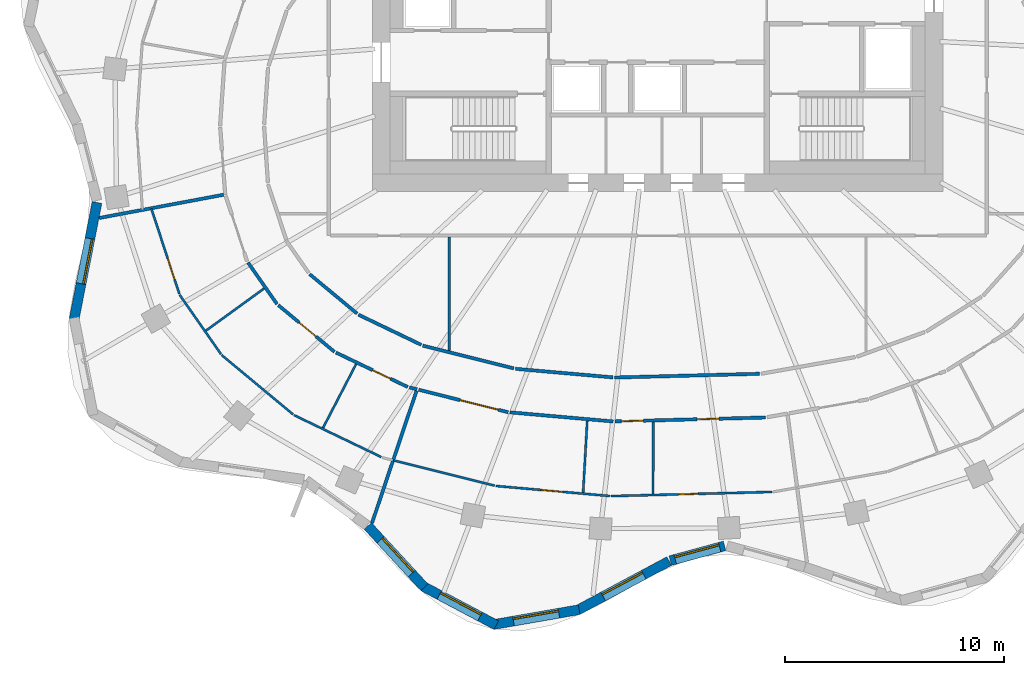
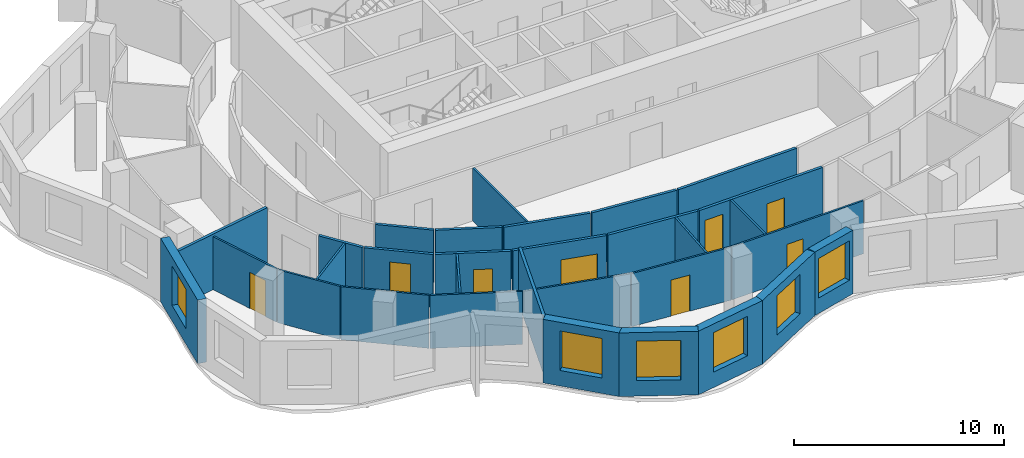
# One storey, part 3 of 11: 32 walls, 8 doors, 6 windows, 14 openings.
"""IFC4 building model written with IfcOpenShell, lengths in metres."""

from ifc_helpers import new_model, si_unit, direction, frame, frame_2d, origin, place, context, subcontext, project, spatial, rectangle, extrude, material, layer, layer_set, type_object, element, fill, save


model = new_model("IFC4")

# Units and contexts
model_context = context("Model", 3, precision=1e-05, world=origin(), true_north=direction((0.0, 1.0)))
body_context = subcontext(model_context, "Body", "Model", "MODEL_VIEW")
ifc_project = project(units=[si_unit("LENGTHUNIT", "METRE"), si_unit("AREAUNIT", "SQUARE_METRE"), si_unit("VOLUMEUNIT", "CUBIC_METRE"), si_unit("PLANEANGLEUNIT", "RADIAN"), si_unit("MASSUNIT", "GRAM", prefix="KILO")], contexts=[model_context])

# Site, building, storey
site_placement = place(None, origin())
site = spatial("IfcSite", under=ifc_project, at=site_placement, CompositionType="ELEMENT")
building_placement = place(site_placement, origin())
building = spatial("IfcBuilding", under=site, at=building_placement, Name="Rubra Terraces Tower", CompositionType="ELEMENT")
storey_placement = place(building_placement, frame((0.0, 0.0, 177.89990234375)))
storey = spatial("IfcBuildingStorey", under=building, at=storey_placement, Name="L43", CompositionType="ELEMENT", Elevation=177.89990234375)

# Wall, opening, window
ifc_material_1 = material(Name="Brick masonry red-brown", Category="masonry")
ifc_layer_1 = layer(ifc_material_1, 0.449951171875)
ifc_layer_set_1 = layer_set([ifc_layer_1], Name="Brick masonry red-brown")
wall_type_1 = type_object("IfcWallType", Name="Brick facade wall 450", PredefinedType="SOLIDWALL", material=ifc_layer_set_1)
wall_1_placement = place(storey_placement, frame((-25.561279296875, -3.490478515625, 0.0), z_axis=(0.0, 0.0, 1.0), x_axis=(-0.192494026297, -0.981298145234, 0.0)))
wall_1 = element("IfcWall", 1, at=wall_1_placement, inside=storey, type_object=wall_type_1, Name="Facade wall L43 bay 22", PredefinedType="SOLIDWALL", context=body_context, shape_type="SweptSolid", body=[
    extrude(rectangle(XDim=5.446044921875, YDim=0.449951171875, at=frame_2d((2.72314453125, 0.0))), origin(), (0.0, 0.0, 1.0), 3.7001953125),
])
opening_1_placement = place(wall_1_placement, frame((1.673095703125, 0.0, 0.89990234375)))
opening_1 = element("IfcOpeningElement", 2, at=opening_1_placement, cuts=wall_1, Name="Opening W1B", PredefinedType="OPENING", context=body_context, shape_type="SweptSolid", body=[
    extrude(rectangle(XDim=2.10009765625, YDim=2.300048828125, at=frame_2d((1.050048828125, 1.14990234375))), frame((0.0, 0.23486328125, 0.0), z_axis=(0.0, -1.0, 0.0), x_axis=(1.0, 0.0, 0.0)), (0.0, 0.0, 1.0), 0.469970703125),
])
ifc_material_2 = material(Name="Clear glass in aluminium frame", Category="aluminium")
window_type = type_object("IfcWindowType", Name="Fixed deep-set window tall storey 2100 x 2300", PartitioningType="SINGLE_PANEL", PredefinedType="WINDOW", material=ifc_material_2)
window_1_placement = place(opening_1_placement, origin())
window_1 = element("IfcWindow", 3, at=window_1_placement, inside=storey, type_object=window_type, Name="Window L43 bay 22", OverallHeight=2.300048828125, OverallWidth=2.10009765625, PartitioningType="SINGLE_PANEL", PredefinedType="WINDOW", context=body_context, shape_type="SweptSolid", body=[
    extrude(rectangle(XDim=2.10009765625, YDim=2.300048828125, at=frame_2d((1.050048828125, 1.14990234375))), frame((0.0, 0.135009765625, 0.0), z_axis=(0.0, -1.0, 0.0), x_axis=(1.0, 0.0, 0.0)), (0.0, 0.0, 1.0), 0.06005859375),
])
fill(opening_1, window_1)

wall_2_placement = place(storey_placement, frame((-13.20947265625, -18.242919921875, 0.0), z_axis=(0.0, 0.0, 1.0), x_axis=(0.677612152497, -0.735419452278, 0.0)))
wall_2 = element("IfcWall", 4, at=wall_2_placement, inside=storey, type_object=wall_type_1, Name="Facade wall L43 bay 27", PredefinedType="SOLIDWALL", context=body_context, shape_type="SweptSolid", body=[
    extrude(rectangle(XDim=3.796875, YDim=0.449951171875, at=frame_2d((1.8984375, 0.0))), origin(), (0.0, 0.0, 1.0), 3.7001953125),
])
opening_2_placement = place(wall_2_placement, frame((0.848388671875, 0.0, 0.89990234375)))
opening_2 = element("IfcOpeningElement", 5, at=opening_2_placement, cuts=wall_2, Name="Opening W1B", PredefinedType="OPENING", context=body_context, shape_type="SweptSolid", body=[
    extrude(rectangle(XDim=2.10009765625, YDim=2.300048828125, at=frame_2d((1.050048828125, 1.14990234375))), frame((0.0, 0.23486328125, 0.0), z_axis=(0.0, -1.0, 0.0), x_axis=(1.0, 0.0, 0.0)), (0.0, 0.0, 1.0), 0.469970703125),
])
window_2_placement = place(opening_2_placement, origin())
window_2 = element("IfcWindow", 6, at=window_2_placement, inside=storey, type_object=window_type, Name="Window L43 bay 27", OverallHeight=2.300048828125, OverallWidth=2.10009765625, PartitioningType="SINGLE_PANEL", PredefinedType="WINDOW", context=body_context, shape_type="SweptSolid", body=[
    extrude(rectangle(XDim=2.10009765625, YDim=2.300048828125, at=frame_2d((1.050048828125, 1.14990234375))), frame((0.0, 0.135009765625, 0.0), z_axis=(0.0, -1.0, 0.0), x_axis=(1.0, 0.0, 0.0)), (0.0, 0.0, 1.0), 0.06005859375),
])
fill(opening_2, window_2)

wall_3_placement = place(storey_placement, frame((-10.692626953125, -20.9931640625, 0.0), z_axis=(0.0, 0.0, 1.0), x_axis=(0.883817790726, -0.46783128668, 0.0)))
wall_3 = element("IfcWall", 7, at=wall_3_placement, inside=storey, type_object=wall_type_1, Name="Facade wall L43 bay 28", PredefinedType="SOLIDWALL", context=body_context, shape_type="SweptSolid", body=[
    extrude(rectangle(XDim=3.776611328125, YDim=0.449951171875, at=frame_2d((1.88818359375, 0.0))), origin(), (0.0, 0.0, 1.0), 3.7001953125),
])
opening_3_placement = place(wall_3_placement, frame((0.83837890625, 0.0, 0.89990234375)))
opening_3 = element("IfcOpeningElement", 8, at=opening_3_placement, cuts=wall_3, Name="Opening W1B", PredefinedType="OPENING", context=body_context, shape_type="SweptSolid", body=[
    extrude(rectangle(XDim=2.10009765625, YDim=2.300048828125, at=frame_2d((1.050048828125, 1.14990234375))), frame((0.0, 0.23486328125, 0.0), z_axis=(0.0, -1.0, 0.0), x_axis=(1.0, 0.0, 0.0)), (0.0, 0.0, 1.0), 0.469970703125),
])
window_3_placement = place(opening_3_placement, origin())
window_3 = element("IfcWindow", 9, at=window_3_placement, inside=storey, type_object=window_type, Name="Window L43 bay 28", OverallHeight=2.300048828125, OverallWidth=2.10009765625, PartitioningType="SINGLE_PANEL", PredefinedType="WINDOW", context=body_context, shape_type="SweptSolid", body=[
    extrude(rectangle(XDim=2.10009765625, YDim=2.300048828125, at=frame_2d((1.050048828125, 1.14990234375))), frame((0.0, 0.135009765625, 0.0), z_axis=(0.0, -1.0, 0.0), x_axis=(1.0, 0.0, 0.0)), (0.0, 0.0, 1.0), 0.06005859375),
])
fill(opening_3, window_3)

wall_4_placement = place(storey_placement, frame((-7.49853515625, -22.7373046875, 0.0), z_axis=(0.0, 0.0, 1.0), x_axis=(0.98521220506, 0.171338585849, 0.0)))
wall_4 = element("IfcWall", 10, at=wall_4_placement, inside=storey, type_object=wall_type_1, Name="Facade wall L43 bay 29", PredefinedType="SOLIDWALL", context=body_context, shape_type="SweptSolid", body=[
    extrude(rectangle(XDim=3.979736328125, YDim=0.449951171875, at=frame_2d((1.98974609375, 0.0))), origin(), (0.0, 0.0, 1.0), 3.7001953125),
])
opening_4_placement = place(wall_4_placement, frame((0.93994140625, 0.0, 0.89990234375)))
opening_4 = element("IfcOpeningElement", 11, at=opening_4_placement, cuts=wall_4, Name="Opening W1B", PredefinedType="OPENING", context=body_context, shape_type="SweptSolid", body=[
    extrude(rectangle(XDim=2.10009765625, YDim=2.300048828125, at=frame_2d((1.050048828125, 1.14990234375))), frame((0.0, 0.23486328125, 0.0), z_axis=(0.0, -1.0, 0.0), x_axis=(1.0, 0.0, 0.0)), (0.0, 0.0, 1.0), 0.469970703125),
])
window_4_placement = place(opening_4_placement, origin())
window_4 = element("IfcWindow", 12, at=window_4_placement, inside=storey, type_object=window_type, Name="Window L43 bay 29", OverallHeight=2.300048828125, OverallWidth=2.10009765625, PartitioningType="SINGLE_PANEL", PredefinedType="WINDOW", context=body_context, shape_type="SweptSolid", body=[
    extrude(rectangle(XDim=2.10009765625, YDim=2.300048828125, at=frame_2d((1.050048828125, 1.14990234375))), frame((0.0, 0.135009765625, 0.0), z_axis=(0.0, -1.0, 0.0), x_axis=(1.0, 0.0, 0.0)), (0.0, 0.0, 1.0), 0.06005859375),
])
fill(opening_4, window_4)

wall_5_placement = place(storey_placement, frame((-3.6455078125, -22.07861328125, 0.0), z_axis=(0.0, 0.0, 1.0), x_axis=(0.881279133897, 0.472596115259, 0.0)))
wall_5 = element("IfcWall", 13, at=wall_5_placement, inside=storey, type_object=wall_type_1, Name="Facade wall L43 bay 30", PredefinedType="SOLIDWALL", context=body_context, shape_type="SweptSolid", body=[
    extrude(rectangle(XDim=4.736572265625, YDim=0.449951171875, at=frame_2d((2.3681640625, 0.0))), origin(), (0.0, 0.0, 1.0), 3.7001953125),
])
opening_5_placement = place(wall_5_placement, frame((1.318115234375, 0.0, 0.89990234375)))
opening_5 = element("IfcOpeningElement", 14, at=opening_5_placement, cuts=wall_5, Name="Opening W1B", PredefinedType="OPENING", context=body_context, shape_type="SweptSolid", body=[
    extrude(rectangle(XDim=2.10009765625, YDim=2.300048828125, at=frame_2d((1.050048828125, 1.14990234375))), frame((0.0, 0.23486328125, 0.0), z_axis=(0.0, -1.0, 0.0), x_axis=(1.0, 0.0, 0.0)), (0.0, 0.0, 1.0), 0.469970703125),
])
window_5_placement = place(opening_5_placement, origin())
window_5 = element("IfcWindow", 15, at=window_5_placement, inside=storey, type_object=window_type, Name="Window L43 bay 30", OverallHeight=2.300048828125, OverallWidth=2.10009765625, PartitioningType="SINGLE_PANEL", PredefinedType="WINDOW", context=body_context, shape_type="SweptSolid", body=[
    extrude(rectangle(XDim=2.10009765625, YDim=2.300048828125, at=frame_2d((1.050048828125, 1.14990234375))), frame((0.0, 0.135009765625, 0.0), z_axis=(0.0, -1.0, 0.0), x_axis=(1.0, 0.0, 0.0)), (0.0, 0.0, 1.0), 0.06005859375),
])
fill(opening_5, window_5)

wall_6_placement = place(storey_placement, frame((0.576171875, -19.8212890625, 0.0), z_axis=(0.0, 0.0, 1.0), x_axis=(0.965009398019, 0.262215296532, 0.0)))
wall_6 = element("IfcWall", 16, at=wall_6_placement, inside=storey, type_object=wall_type_1, Name="Facade wall L43 bay 31", PredefinedType="SOLIDWALL", context=body_context, shape_type="SweptSolid", body=[
    extrude(rectangle(XDim=2.565185546875, YDim=0.449951171875, at=frame_2d((1.28271484375, 0.0))), origin(), (0.0, 0.0, 1.0), 3.7001953125),
])
opening_6_placement = place(wall_6_placement, frame((0.232666015625, 0.0, 0.89990234375)))
opening_6 = element("IfcOpeningElement", 17, at=opening_6_placement, cuts=wall_6, Name="Opening W1B", PredefinedType="OPENING", context=body_context, shape_type="SweptSolid", body=[
    extrude(rectangle(XDim=2.10009765625, YDim=2.300048828125, at=frame_2d((1.050048828125, 1.14990234375))), frame((0.0, 0.23486328125, 0.0), z_axis=(0.0, -1.0, 0.0), x_axis=(1.0, 0.0, 0.0)), (0.0, 0.0, 1.0), 0.469970703125),
])
window_6_placement = place(opening_6_placement, origin())
window_6 = element("IfcWindow", 18, at=window_6_placement, inside=storey, type_object=window_type, Name="Window L43 bay 31", OverallHeight=2.300048828125, OverallWidth=2.10009765625, PartitioningType="SINGLE_PANEL", PredefinedType="WINDOW", context=body_context, shape_type="SweptSolid", body=[
    extrude(rectangle(XDim=2.10009765625, YDim=2.300048828125, at=frame_2d((1.050048828125, 1.14990234375))), frame((0.0, 0.135009765625, 0.0), z_axis=(0.0, -1.0, 0.0), x_axis=(1.0, 0.0, 0.0)), (0.0, 0.0, 1.0), 0.06005859375),
])
fill(opening_6, window_6)

# Wall
ifc_material_3 = material(Name="Plasterboard on steel stud, mineral wool infill", Category="steel")
ifc_layer_2 = layer(ifc_material_3, 0.14990234375)
ifc_layer_set_2 = layer_set([ifc_layer_2], Name="Plasterboard on steel stud, mineral wool infill")
wall_type_2 = type_object("IfcWallType", Name="CORRIDOR PARTITION 150", PredefinedType="PARTITIONING", material=ifc_layer_set_2)
wall_7_placement = place(storey_placement, frame((-18.673828125, -6.231689453125, 0.0), z_axis=(0.0, 0.0, 1.0), x_axis=(0.572118665737, -0.820170855563, 0.0)))
element("IfcWall", 19, at=wall_7_placement, inside=storey, type_object=wall_type_2, Name="PARTITION", PredefinedType="PARTITIONING", context=body_context, shape_type="SweptSolid", body=[
    extrude(rectangle(XDim=2.30615234375, YDim=0.14990234375, at=frame_2d((1.153076171875, 0.0))), origin(), (0.0, 0.0, 1.0), 3.083984375),
])

# Wall, opening, door
wall_8_placement = place(storey_placement, frame((-17.296875, -8.1708984375, 0.0), z_axis=(0.0, 0.0, 1.0), x_axis=(0.769228575061, -0.638973707839, 0.0)))
wall_8 = element("IfcWall", 20, at=wall_8_placement, inside=storey, type_object=wall_type_2, Name="PARTITION", PredefinedType="PARTITIONING", context=body_context, shape_type="SweptSolid", body=[
    extrude(rectangle(XDim=3.33447265625, YDim=0.14990234375, at=frame_2d((1.667236328125, 0.0))), origin(), (0.0, 0.0, 1.0), 3.083984375),
])
opening_7_placement = place(wall_8_placement, frame((1.23388671875, 0.0, 0.0)))
opening_7 = element("IfcOpeningElement", 21, at=opening_7_placement, cuts=wall_8, Name="Opening 43-115", PredefinedType="OPENING", context=body_context, shape_type="SweptSolid", body=[
    extrude(rectangle(XDim=1.0, YDim=2.39990234375, at=frame_2d((0.5, 1.199951171875))), frame((0.0, 0.0849609375, 0.0), z_axis=(0.0, -1.0, 0.0), x_axis=(1.0, 0.0, 0.0)), (0.0, 0.0, 1.0), 0.169921875),
])
ifc_material_4 = material(Name="Glazed aluminium meeting door leaf", Category="aluminium")
door_type_1 = type_object("IfcDoorType", Name="MEETING ROOM GLAZED DOOR 1000 X 2400", OperationType="SINGLE_SWING_LEFT", PredefinedType="DOOR", material=ifc_material_4)
door_1_placement = place(opening_7_placement, origin())
door_1 = element("IfcDoor", 22, at=door_1_placement, inside=storey, type_object=door_type_1, Name="DOOR 43-115", OperationType="SINGLE_SWING_RIGHT", OverallHeight=2.39990234375, OverallWidth=1.0, PredefinedType="DOOR", context=body_context, shape_type="SweptSolid", body=[
    extrude(rectangle(XDim=1.0, YDim=2.39990234375, at=frame_2d((0.5, 1.199951171875))), frame((0.0, 0.02490234375, 0.0), z_axis=(0.0, -1.0, 0.0), x_axis=(1.0, 0.0, 0.0)), (0.0, 0.0, 1.0), 0.050048828125),
])
fill(opening_7, door_1)

wall_9_placement = place(storey_placement, frame((-14.664306640625, -10.333984375, 0.0), z_axis=(0.0, 0.0, 1.0), x_axis=(0.901507315282, -0.432763862278, 0.0)))
wall_9 = element("IfcWall", 23, at=wall_9_placement, inside=storey, type_object=wall_type_2, Name="PARTITION", PredefinedType="PARTITIONING", context=body_context, shape_type="SweptSolid", body=[
    extrude(rectangle(XDim=3.63037109375, YDim=0.14990234375, at=frame_2d((1.815185546875, 0.0))), origin(), (0.0, 0.0, 1.0), 3.083984375),
])
opening_8_placement = place(wall_9_placement, frame((1.85009765625, 0.0, 0.0)))
opening_8 = element("IfcOpeningElement", 24, at=opening_8_placement, cuts=wall_9, Name="Opening 43-136", PredefinedType="OPENING", context=body_context, shape_type="SweptSolid", body=[
    extrude(rectangle(XDim=0.89990234375, YDim=2.10009765625, at=frame_2d((0.449951171875, 1.050048828125))), frame((0.0, 0.0849609375, 0.0), z_axis=(0.0, -1.0, 0.0), x_axis=(1.0, 0.0, 0.0)), (0.0, 0.0, 1.0), 0.169921875),
])
ifc_material_5 = material(Name="Painted timber door leaf", Category="wood")
door_type_2 = type_object("IfcDoorType", Name="BATHROOM DOOR 900 X 2100", OperationType="SINGLE_SWING_LEFT", PredefinedType="DOOR", material=ifc_material_5)
door_2_placement = place(opening_8_placement, origin())
door_2 = element("IfcDoor", 25, at=door_2_placement, inside=storey, type_object=door_type_2, Name="DOOR 43-136", OperationType="SINGLE_SWING_RIGHT", OverallHeight=2.10009765625, OverallWidth=0.89990234375, PredefinedType="DOOR", context=body_context, shape_type="SweptSolid", body=[
    extrude(rectangle(XDim=0.89990234375, YDim=2.10009765625, at=frame_2d((0.449951171875, 1.050048828125))), frame((0.0, 0.02490234375, 0.0), z_axis=(0.0, -1.0, 0.0), x_axis=(1.0, 0.0, 0.0)), (0.0, 0.0, 1.0), 0.050048828125),
])
fill(opening_8, door_2)

# Wall
wall_10_placement = place(storey_placement, frame((-11.318603515625, -11.923095703125, 0.0), z_axis=(0.0, 0.0, 1.0), x_axis=(0.969942256681, -0.243335198242, 0.0)))
element("IfcWall", 26, at=wall_10_placement, inside=storey, type_object=wall_type_2, Name="PARTITION", PredefinedType="PARTITIONING", context=body_context, shape_type="SweptSolid", body=[
    extrude(rectangle(XDim=0.359130859375, YDim=0.14990234375, at=frame_2d((0.1796875, 0.0))), origin(), (0.0, 0.0, 1.0), 3.083984375),
])

# Wall, opening, door
wall_11_placement = place(storey_placement, frame((-10.8974609375, -12.02880859375, 0.0), z_axis=(0.0, 0.0, 1.0), x_axis=(0.969999087169, -0.24310855783, 0.0)))
wall_11 = element("IfcWall", 27, at=wall_11_placement, inside=storey, type_object=wall_type_2, Name="PARTITION", PredefinedType="PARTITIONING", context=body_context, shape_type="SweptSolid", body=[
    extrude(rectangle(XDim=4.210693359375, YDim=0.14990234375, at=frame_2d((2.10546875, 0.0))), origin(), (0.0, 0.0, 1.0), 3.083984375),
])
opening_9_placement = place(wall_11_placement, frame((1.949951171875, 0.0, 0.0)))
opening_9 = element("IfcOpeningElement", 28, at=opening_9_placement, cuts=wall_11, Name="Opening 43-116", PredefinedType="OPENING", context=body_context, shape_type="SweptSolid", body=[
    extrude(rectangle(XDim=1.800048828125, YDim=2.10009765625, at=frame_2d((0.89990234375, 1.050048828125))), frame((0.0, 0.0849609375, 0.0), z_axis=(0.0, -1.0, 0.0), x_axis=(1.0, 0.0, 0.0)), (0.0, 0.0, 1.0), 0.169921875),
])
ifc_material_6 = material(Name="Painted timber door leaf, double", Category="wood")
door_type_3 = type_object("IfcDoorType", Name="ROOM DOUBLE DOOR 1800 X 2100", OperationType="DOUBLE_DOOR_SINGLE_SWING", PredefinedType="DOOR", material=ifc_material_6)
door_3_placement = place(opening_9_placement, origin())
door_3 = element("IfcDoor", 29, at=door_3_placement, inside=storey, type_object=door_type_3, Name="DOOR 43-116", OperationType="DOUBLE_DOOR_SINGLE_SWING", OverallHeight=2.10009765625, OverallWidth=1.800048828125, PredefinedType="DOOR", context=body_context, shape_type="SweptSolid", body=[
    extrude(rectangle(XDim=1.800048828125, YDim=2.10009765625, at=frame_2d((0.89990234375, 1.050048828125))), frame((0.0, 0.02490234375, 0.0), z_axis=(0.0, -1.0, 0.0), x_axis=(1.0, 0.0, 0.0)), (0.0, 0.0, 1.0), 0.050048828125),
])
fill(opening_9, door_3)

# Wall
wall_12_placement = place(storey_placement, frame((-6.73828125, -13.05908203125, 0.0), z_axis=(0.0, 0.0, 1.0), x_axis=(0.996143527037, -0.087738666181, 0.0)))
element("IfcWall", 30, at=wall_12_placement, inside=storey, type_object=wall_type_2, Name="PARTITION", PredefinedType="PARTITIONING", context=body_context, shape_type="SweptSolid", body=[
    extrude(rectangle(XDim=4.73046875, YDim=0.14990234375, at=frame_2d((2.365234375, 0.0))), origin(), (0.0, 0.0, 1.0), 3.083984375),
])

# Wall, openings, doors
wall_13_placement = place(storey_placement, frame((-1.951171875, -13.472412109375, 0.0), z_axis=(0.0, 0.0, 1.0), x_axis=(0.999663898238, 0.025924709429, 0.0)))
wall_13 = element("IfcWall", 31, at=wall_13_placement, inside=storey, type_object=wall_type_2, Name="PARTITION", PredefinedType="PARTITIONING", context=body_context, shape_type="SweptSolid", body=[
    extrude(rectangle(XDim=6.87451171875, YDim=0.14990234375, at=frame_2d((3.437255859375, 0.0))), origin(), (0.0, 0.0, 1.0), 3.083984375),
])
opening_10_placement = place(wall_13_placement, frame((0.300048828125, 0.0, 0.0)))
opening_10 = element("IfcOpeningElement", 32, at=opening_10_placement, cuts=wall_13, Name="Opening 43-117", PredefinedType="OPENING", context=body_context, shape_type="SweptSolid", body=[
    extrude(rectangle(XDim=1.0, YDim=2.39990234375, at=frame_2d((0.5, 1.199951171875))), frame((0.0, 0.0849609375, 0.0), z_axis=(0.0, -1.0, 0.0), x_axis=(1.0, 0.0, 0.0)), (0.0, 0.0, 1.0), 0.169921875),
])
opening_11_placement = place(wall_13_placement, frame((3.75, 0.0, 0.0)))
opening_11 = element("IfcOpeningElement", 33, at=opening_11_placement, cuts=wall_13, Name="Opening 43-138", PredefinedType="OPENING", context=body_context, shape_type="SweptSolid", body=[
    extrude(rectangle(XDim=1.0, YDim=2.10009765625, at=frame_2d((0.5, 1.050048828125))), frame((0.0, 0.0849609375, 0.0), z_axis=(0.0, -1.0, 0.0), x_axis=(1.0, 0.0, 0.0)), (0.0, 0.0, 1.0), 0.169921875),
])
door_4_placement = place(opening_10_placement, origin())
door_4 = element("IfcDoor", 34, at=door_4_placement, inside=storey, type_object=door_type_1, Name="DOOR 43-117", OperationType="SINGLE_SWING_RIGHT", OverallHeight=2.39990234375, OverallWidth=1.0, PredefinedType="DOOR", context=body_context, shape_type="SweptSolid", body=[
    extrude(rectangle(XDim=1.0, YDim=2.39990234375, at=frame_2d((0.5, 1.199951171875))), frame((0.0, 0.02490234375, 0.0), z_axis=(0.0, -1.0, 0.0), x_axis=(1.0, 0.0, 0.0)), (0.0, 0.0, 1.0), 0.050048828125),
])
fill(opening_10, door_4)
door_type_4 = type_object("IfcDoorType", Name="ROOM DOOR 1000 X 2100", OperationType="SINGLE_SWING_LEFT", PredefinedType="DOOR", material=ifc_material_5)
door_5_placement = place(opening_11_placement, origin())
door_5 = element("IfcDoor", 35, at=door_5_placement, inside=storey, type_object=door_type_4, Name="DOOR 43-138", OperationType="SINGLE_SWING_RIGHT", OverallHeight=2.10009765625, OverallWidth=1.0, PredefinedType="DOOR", context=body_context, shape_type="SweptSolid", body=[
    extrude(rectangle(XDim=1.0, YDim=2.10009765625, at=frame_2d((0.5, 1.050048828125))), frame((0.0, 0.02490234375, 0.0), z_axis=(0.0, -1.0, 0.0), x_axis=(1.0, 0.0, 0.0)), (0.0, 0.0, 1.0), 0.050048828125),
])
fill(opening_11, door_5)

# Walls
wall_14_placement = place(storey_placement, frame((4.64453125, -11.30078125, 0.0), z_axis=(0.0, 0.0, 1.0), x_axis=(-0.9996648469, -0.02588810291, 0.0)))
element("IfcWall", 36, at=wall_14_placement, inside=storey, type_object=wall_type_2, Name="PARTITION", PredefinedType="PARTITIONING", context=body_context, shape_type="SweptSolid", body=[
    extrude(rectangle(XDim=6.61083984375, YDim=0.14990234375, at=frame_2d((3.305419921875, 0.0))), origin(), (0.0, 0.0, 1.0), 3.083984375),
])
wall_15_placement = place(storey_placement, frame((-2.038818359375, -11.46533203125, 0.0), z_axis=(0.0, 0.0, 1.0), x_axis=(-0.996139855484, 0.087780341286, 0.0)))
element("IfcWall", 37, at=wall_15_placement, inside=storey, type_object=wall_type_2, Name="PARTITION", PredefinedType="PARTITIONING", context=body_context, shape_type="SweptSolid", body=[
    extrude(rectangle(XDim=4.458251953125, YDim=0.14990234375, at=frame_2d((2.22900390625, 0.0))), origin(), (0.0, 0.0, 1.0), 3.083984375),
])
wall_16_placement = place(storey_placement, frame((-6.552734375, -11.055908203125, 0.0), z_axis=(0.0, 0.0, 1.0), x_axis=(-0.970004917182, 0.243085294995, 0.0)))
element("IfcWall", 38, at=wall_16_placement, inside=storey, type_object=wall_type_2, Name="PARTITION", PredefinedType="PARTITIONING", context=body_context, shape_type="SweptSolid", body=[
    extrude(rectangle(XDim=4.284423828125, YDim=0.14990234375, at=frame_2d((2.14208984375, 0.0))), origin(), (0.0, 0.0, 1.0), 3.083984375),
])
wall_17_placement = place(storey_placement, frame((-10.7763671875, -9.981689453125, 0.0), z_axis=(0.0, 0.0, 1.0), x_axis=(-0.901511079436, 0.432756020933, 0.0)))
element("IfcWall", 39, at=wall_17_placement, inside=storey, type_object=wall_type_2, Name="PARTITION", PredefinedType="PARTITIONING", context=body_context, shape_type="SweptSolid", body=[
    extrude(rectangle(XDim=3.1806640625, YDim=0.14990234375, at=frame_2d((1.59033203125, 0.0))), origin(), (0.0, 0.0, 1.0), 3.083984375),
])
wall_18_placement = place(storey_placement, frame((-13.70166015625, -8.557373046875, 0.0), z_axis=(0.0, 0.0, 1.0), x_axis=(-0.769221825067, 0.638981833733, 0.0)))
element("IfcWall", 40, at=wall_18_placement, inside=storey, type_object=wall_type_2, Name="PARTITION", PredefinedType="PARTITIONING", context=body_context, shape_type="SweptSolid", body=[
    extrude(rectangle(XDim=2.8173828125, YDim=0.14990234375, at=frame_2d((1.40869140625, 0.0))), origin(), (0.0, 0.0, 1.0), 3.083984375),
])
ifc_material_7 = material(Name="Plasterboard on steel stud", Category="steel")
ifc_layer_3 = layer(ifc_material_7, 0.10009765625)
ifc_layer_set_3 = layer_set([ifc_layer_3], Name="Plasterboard on steel stud")
wall_type_3 = type_object("IfcWallType", Name="ROOM PARTITION 100", PredefinedType="PARTITIONING", material=ifc_layer_set_3)
wall_19_placement = place(storey_placement, frame((-12.597412109375, -15.09765625, 0.0), z_axis=(0.0, 0.0, 1.0), x_axis=(-0.901514437286, 0.432749025839, 0.0)))
element("IfcWall", 41, at=wall_19_placement, inside=storey, type_object=wall_type_3, Name="PARTITION", PredefinedType="PARTITIONING", context=body_context, shape_type="SweptSolid", body=[
    extrude(rectangle(XDim=4.419677734375, YDim=0.10009765625, at=frame_2d((2.2099609375, 0.0))), origin(), (0.0, 0.0, 1.0), 3.083984375),
])
wall_20_placement = place(storey_placement, frame((-16.6201171875, -13.153076171875, 0.0), z_axis=(0.0, 0.0, 1.0), x_axis=(-0.76922129881, 0.638982467253, 0.0)))
element("IfcWall", 42, at=wall_20_placement, inside=storey, type_object=wall_type_3, Name="PARTITION", PredefinedType="PARTITIONING", context=body_context, shape_type="SweptSolid", body=[
    extrude(rectangle(XDim=4.23828125, YDim=0.10009765625, at=frame_2d((2.119140625, 0.0))), origin(), (0.0, 0.0, 1.0), 3.083984375),
])
wall_21_placement = place(storey_placement, frame((-19.908935546875, -10.40380859375, 0.0), z_axis=(0.0, 0.0, 1.0), x_axis=(-0.572111951901, 0.820175538828, 0.0)))
element("IfcWall", 43, at=wall_21_placement, inside=storey, type_object=wall_type_3, Name="PARTITION", PredefinedType="PARTITIONING", context=body_context, shape_type="SweptSolid", body=[
    extrude(rectangle(XDim=3.2900390625, YDim=0.10009765625, at=frame_2d((1.64501953125, 0.0))), origin(), (0.0, 0.0, 1.0), 3.083984375),
])

# Wall, opening, door
wall_22_placement = place(storey_placement, frame((-21.806884765625, -7.657958984375, 0.0), z_axis=(0.0, 0.0, 1.0), x_axis=(-0.311924580949, 0.950106865463, 0.0)))
wall_22 = element("IfcWall", 44, at=wall_22_placement, inside=storey, type_object=wall_type_3, Name="PARTITION", PredefinedType="PARTITIONING", context=body_context, shape_type="SweptSolid", body=[
    extrude(rectangle(XDim=4.087890625, YDim=0.10009765625, at=frame_2d((2.0439453125, 0.0))), origin(), (0.0, 0.0, 1.0), 3.083984375),
])
opening_12_placement = place(wall_22_placement, frame((0.698974609375, 0.0, 0.0)))
opening_12 = element("IfcOpeningElement", 45, at=opening_12_placement, cuts=wall_22, Name="Opening 43-114", PredefinedType="OPENING", context=body_context, shape_type="SweptSolid", body=[
    extrude(rectangle(XDim=1.0, YDim=2.10009765625, at=frame_2d((0.5, 1.050048828125))), frame((0.0, 0.06005859375, 0.0), z_axis=(0.0, -1.0, 0.0), x_axis=(1.0, 0.0, 0.0)), (0.0, 0.0, 1.0), 0.1201171875),
])
door_6_placement = place(opening_12_placement, origin())
door_6 = element("IfcDoor", 46, at=door_6_placement, inside=storey, type_object=door_type_4, Name="DOOR 43-114", OperationType="SINGLE_SWING_LEFT", OverallHeight=2.10009765625, OverallWidth=1.0, PredefinedType="DOOR", context=body_context, shape_type="SweptSolid", body=[
    extrude(rectangle(XDim=1.0, YDim=2.10009765625, at=frame_2d((0.5, 1.050048828125))), frame((0.0, 0.02490234375, 0.0), z_axis=(0.0, -1.0, 0.0), x_axis=(1.0, 0.0, 0.0)), (0.0, 0.0, 1.0), 0.050048828125),
])
fill(opening_12, door_6)

# Walls
wall_23_placement = place(storey_placement, frame((-17.9423828125, -7.41162109375, 0.0), z_axis=(0.0, 0.0, 1.0), x_axis=(-0.809425321456, -0.587222827372, 0.0)))
element("IfcWall", 47, at=wall_23_placement, inside=storey, type_object=wall_type_3, Name="PARTITION", PredefinedType="PARTITIONING", context=body_context, shape_type="SweptSolid", body=[
    extrude(rectangle(XDim=3.275390625, YDim=0.10009765625, at=frame_2d((1.6376953125, 0.0))), origin(), (0.0, 0.0, 1.0), 3.083984375),
])
wall_24_placement = place(storey_placement, frame((-13.7470703125, -10.857421875, 0.0), z_axis=(0.0, 0.0, 1.0), x_axis=(-0.460160569956, -0.887835711074, 0.0)))
element("IfcWall", 48, at=wall_24_placement, inside=storey, type_object=wall_type_3, Name="PARTITION", PredefinedType="PARTITIONING", context=body_context, shape_type="SweptSolid", body=[
    extrude(rectangle(XDim=3.276611328125, YDim=0.10009765625, at=frame_2d((1.63818359375, 0.0))), origin(), (0.0, 0.0, 1.0), 3.083984375),
])

# Wall, opening, door
wall_25_placement = place(storey_placement, frame((5.2138671875, -16.687744140625, 0.0), z_axis=(0.0, 0.0, 1.0), x_axis=(-0.999664981446, -0.025882906921, 0.0)))
wall_25 = element("IfcWall", 49, at=wall_25_placement, inside=storey, type_object=wall_type_3, Name="PARTITION", PredefinedType="PARTITIONING", context=body_context, shape_type="SweptSolid", body=[
    extrude(rectangle(XDim=7.347900390625, YDim=0.10009765625, at=frame_2d((3.673828125, 0.0))), origin(), (0.0, 0.0, 1.0), 3.083984375),
])
opening_13_placement = place(wall_25_placement, frame((3.364013671875, 0.0, 0.0)))
opening_13 = element("IfcOpeningElement", 50, at=opening_13_placement, cuts=wall_25, Name="Opening 43-118", PredefinedType="OPENING", context=body_context, shape_type="SweptSolid", body=[
    extrude(rectangle(XDim=0.89990234375, YDim=2.10009765625, at=frame_2d((0.449951171875, 1.050048828125))), frame((0.0, 0.06005859375, 0.0), z_axis=(0.0, -1.0, 0.0), x_axis=(1.0, 0.0, 0.0)), (0.0, 0.0, 1.0), 0.1201171875),
])
door_type_5 = type_object("IfcDoorType", Name="ROOM DOOR 900 X 2100", OperationType="SINGLE_SWING_LEFT", PredefinedType="DOOR", material=ifc_material_5)
door_7_placement = place(opening_13_placement, origin())
door_7 = element("IfcDoor", 51, at=door_7_placement, inside=storey, type_object=door_type_5, Name="DOOR 43-118", OperationType="SINGLE_SWING_LEFT", OverallHeight=2.10009765625, OverallWidth=0.89990234375, PredefinedType="DOOR", context=body_context, shape_type="SweptSolid", body=[
    extrude(rectangle(XDim=0.89990234375, YDim=2.10009765625, at=frame_2d((0.449951171875, 1.050048828125))), frame((0.0, 0.02490234375, 0.0), z_axis=(0.0, -1.0, 0.0), x_axis=(1.0, 0.0, 0.0)), (0.0, 0.0, 1.0), 0.050048828125),
])
fill(opening_13, door_7)

wall_26_placement = place(storey_placement, frame((-2.181396484375, -16.87353515625, 0.0), z_axis=(0.0, 0.0, 1.0), x_axis=(-0.996143934904, 0.087734035321, 0.0)))
wall_26 = element("IfcWall", 52, at=wall_26_placement, inside=storey, type_object=wall_type_3, Name="PARTITION", PredefinedType="PARTITIONING", context=body_context, shape_type="SweptSolid", body=[
    extrude(rectangle(XDim=5.217529296875, YDim=0.10009765625, at=frame_2d((2.60888671875, 0.0))), origin(), (0.0, 0.0, 1.0), 3.083984375),
])
opening_14_placement = place(wall_26_placement, frame((2.14990234375, 0.0, 0.0)))
opening_14 = element("IfcOpeningElement", 53, at=opening_14_placement, cuts=wall_26, Name="Opening 43-137", PredefinedType="OPENING", context=body_context, shape_type="SweptSolid", body=[
    extrude(rectangle(XDim=1.0, YDim=2.10009765625, at=frame_2d((0.5, 1.050048828125))), frame((0.0, 0.06005859375, 0.0), z_axis=(0.0, -1.0, 0.0), x_axis=(1.0, 0.0, 0.0)), (0.0, 0.0, 1.0), 0.1201171875),
])
door_8_placement = place(opening_14_placement, origin())
door_8 = element("IfcDoor", 54, at=door_8_placement, inside=storey, type_object=door_type_4, Name="DOOR 43-137", OperationType="SINGLE_SWING_LEFT", OverallHeight=2.10009765625, OverallWidth=1.0, PredefinedType="DOOR", context=body_context, shape_type="SweptSolid", body=[
    extrude(rectangle(XDim=1.0, YDim=2.10009765625, at=frame_2d((0.5, 1.050048828125))), frame((0.0, 0.02490234375, 0.0), z_axis=(0.0, -1.0, 0.0), x_axis=(1.0, 0.0, 0.0)), (0.0, 0.0, 1.0), 0.050048828125),
])
fill(opening_14, door_8)

# Walls
wall_27_placement = place(storey_placement, frame((-7.427490234375, -16.403564453125, 0.0), z_axis=(0.0, 0.0, 1.0), x_axis=(-0.970009433409, 0.243067272783, 0.0)))
element("IfcWall", 55, at=wall_27_placement, inside=storey, type_object=wall_type_3, Name="PARTITION", PredefinedType="PARTITIONING", context=body_context, shape_type="SweptSolid", body=[
    extrude(rectangle(XDim=4.75390625, YDim=0.10009765625, at=frame_2d((2.376953125, 0.0))), origin(), (0.0, 0.0, 1.0), 3.083984375),
])
wall_28_placement = place(storey_placement, frame((-3.211181640625, -13.445068359375, 0.0), z_axis=(0.0, 0.0, 1.0), x_axis=(-0.056703901856, -0.99839103938, 0.0)))
element("IfcWall", 56, at=wall_28_placement, inside=storey, type_object=wall_type_3, Name="PARTITION", PredefinedType="PARTITIONING", context=body_context, shape_type="SweptSolid", body=[
    extrude(rectangle(XDim=3.276611328125, YDim=0.10009765625, at=frame_2d((1.63818359375, 0.0))), origin(), (0.0, 0.0, 1.0), 3.083984375),
])
wall_29_placement = place(storey_placement, frame((-0.19921875, -13.501953125, 0.0), z_axis=(0.0, 0.0, 1.0), x_axis=(-0.002309978934, -0.999997331995, 0.0)))
element("IfcWall", 57, at=wall_29_placement, inside=storey, type_object=wall_type_3, Name="PARTITION", PredefinedType="PARTITIONING", context=body_context, shape_type="SweptSolid", body=[
    extrude(rectangle(XDim=3.2763671875, YDim=0.10009765625, at=frame_2d((1.63818359375, 0.0))), origin(), (0.0, 0.0, 1.0), 3.083984375),
])
wall_30_placement = place(storey_placement, frame((-9.5, -10.2421875, 0.0), z_axis=(0.0, 0.0, 1.0), x_axis=(0.0, 1.0, 0.0)))
element("IfcWall", 58, at=wall_30_placement, inside=storey, type_object=wall_type_3, Name="PARTITION", PredefinedType="PARTITIONING", context=body_context, shape_type="SweptSolid", body=[
    extrude(rectangle(XDim=5.167236328125, YDim=0.10009765625, at=frame_2d((2.58349609375, 0.0))), origin(), (0.0, 0.0, 1.0), 3.083984375),
])
ifc_layer_4 = layer(ifc_material_7, 0.14990234375)
ifc_layer_set_4 = layer_set([ifc_layer_4], Name="Plasterboard on steel stud")
wall_type_4 = type_object("IfcWallType", Name="ROOM PARTITION 150", PredefinedType="PARTITIONING", material=ifc_layer_set_4)
wall_31_placement = place(storey_placement, frame((-25.466796875, -4.198974609375, 0.0), z_axis=(0.0, 0.0, 1.0), x_axis=(0.982998787258, 0.183612048216, 0.0)))
element("IfcWall", 59, at=wall_31_placement, inside=storey, type_object=wall_type_4, Name="PARTITION", PredefinedType="PARTITIONING", context=body_context, shape_type="SweptSolid", body=[
    extrude(rectangle(XDim=5.774658203125, YDim=0.14990234375, at=frame_2d((2.88720703125, 0.0))), origin(), (0.0, 0.0, 1.0), 3.234130859375),
])
wall_32_placement = place(storey_placement, frame((-13.024169921875, -18.112060546875, 0.0), z_axis=(0.0, 0.0, 1.0), x_axis=(0.319081027508, 0.947727438605, 0.0)))
element("IfcWall", 60, at=wall_32_placement, inside=storey, type_object=wall_type_4, Name="PARTITION", PredefinedType="PARTITIONING", context=body_context, shape_type="SweptSolid", body=[
    extrude(rectangle(XDim=6.36279296875, YDim=0.14990234375, at=frame_2d((3.181396484375, 0.0))), origin(), (0.0, 0.0, 1.0), 3.234130859375),
])

save(model, "model.ifc")
